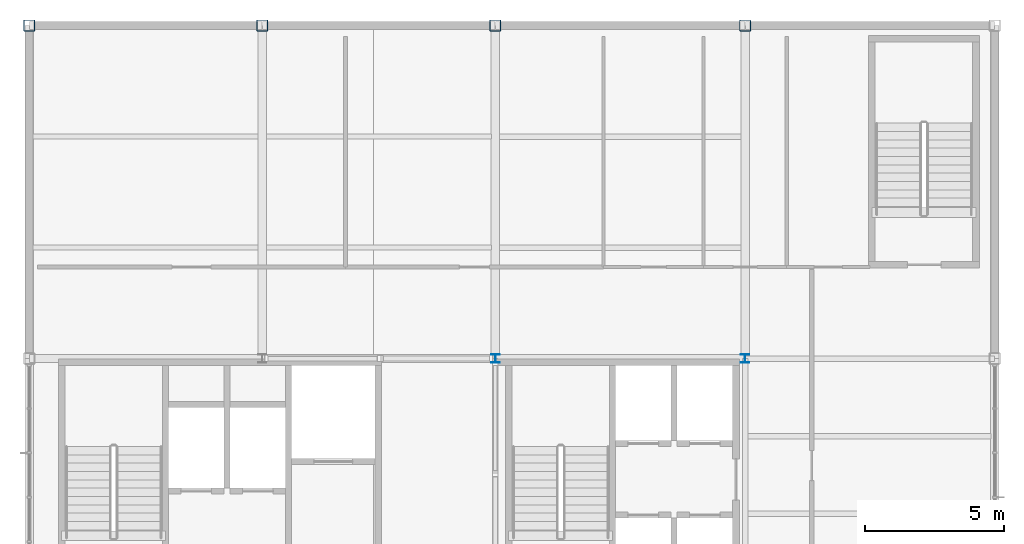
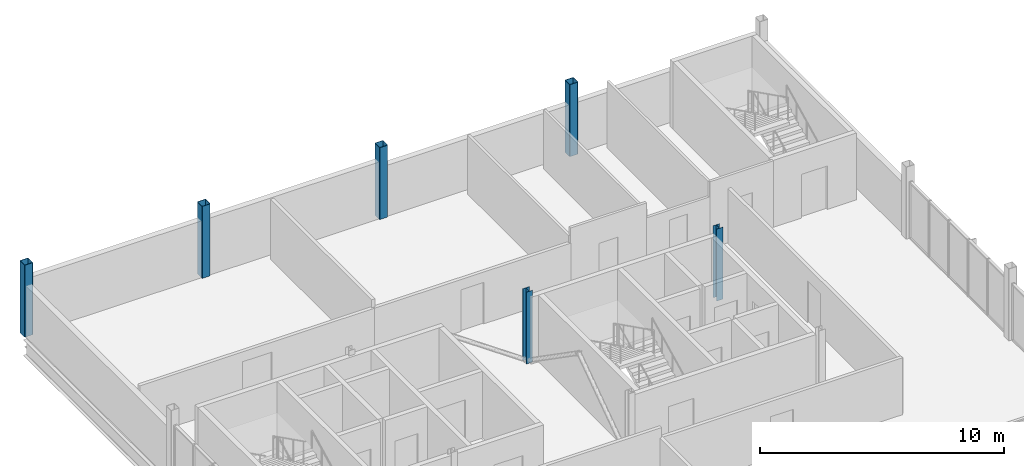
# One storey, part 2 of 15: 6 columns.
"""IFC4 building model written with IfcOpenShell, lengths in metres."""

from ifc_helpers import new_model, si_unit, direction, frame, origin, origin_2d, place, context, subcontext, project, spatial, hollow_rectangle, i_section, extrude, material, material_profile, profile_set, type_object, element, save


model = new_model("IFC4")

# Units and contexts
model_context = context("Model", 3, precision=1e-05, world=origin(), true_north=direction((0.0, 1.0)))
body_context = subcontext(model_context, "Body", "Model", "MODEL_VIEW")
ifc_project = project(units=[si_unit("LENGTHUNIT", "METRE"), si_unit("AREAUNIT", "SQUARE_METRE"), si_unit("VOLUMEUNIT", "CUBIC_METRE"), si_unit("PLANEANGLEUNIT", "RADIAN"), si_unit("MASSUNIT", "GRAM", prefix="KILO")], contexts=[model_context])

# Site, building, storey
site_placement = place(None, origin())
site = spatial("IfcSite", under=ifc_project, at=site_placement, CompositionType="ELEMENT")
building_placement = place(site_placement, origin())
building = spatial("IfcBuilding", under=site, at=building_placement, Name="Yukiwa Park Conservatory and Herbarium", CompositionType="ELEMENT")
storey_placement = place(building_placement, frame((0.0, 0.0, 54.0)))
storey = spatial("IfcBuildingStorey", under=building, at=storey_placement, Name="L14", CompositionType="ELEMENT", Elevation=54.0)

# Columns
ifc_material_1 = material(Name="Steel Q355D", Category="steel")
ifc_material_profile_1 = material_profile(ifc_material_1, hollow_rectangle(XDim=0.39990234375, YDim=0.39990234375, WallThickness=0.01611328125, InnerFilletRadius=0.01611328125, OuterFilletRadius=0.031982421875, at=origin_2d()), Name="BOX 400x400x16")
ifc_profile_set_1 = profile_set([ifc_material_profile_1], Name="Steel Q355D")
column_type_1 = type_object("IfcColumnType", Name="COL-TW-BOX400-EXT", PredefinedType="COLUMN", material=ifc_profile_set_1)
for number, where, z_axis, x_axis, name in (
    (1, (133.199951171875, 115.199951171875, 0.0), (0.0, 0.0, 1.0), (1.0, 0.0, 0.0), "L14 column V5-X1332-Y1152"),
    (2, (141.60009765625, 115.199951171875, 0.0), (0.0, 0.0, 1.0), (1.0, 0.0, 0.0), "L14 column V5-X1416-Y1152"),
    (3, (150.0, 115.199951171875, 0.0), (0.0, 0.0, 1.0), (1.0, 0.0, 0.0), "L14 column V5-X1500-Y1152"),
    (4, (159.0, 115.199951171875, 0.0), (0.0, 0.0, 1.0), (1.0, 0.0, 0.0), "L14 column V5-X1590-Y1152"),
):
    element("IfcColumn", number, at=place(storey_placement, frame(where, z_axis=z_axis, x_axis=x_axis)), inside=storey, type_object=column_type_1, Name=name, PredefinedType="COLUMN", context=body_context, shape_type="SweptSolid", body=[
        extrude(hollow_rectangle(XDim=0.39990234375, YDim=0.39990234375, WallThickness=0.01611328125, InnerFilletRadius=0.01611328125, OuterFilletRadius=0.031982421875, at=origin_2d()), origin(), (0.0, 0.0, 1.0), 3.60009765625),
    ])
ifc_material_2 = material(Name="Steel Q355D", Category="steel")
ifc_material_profile_2 = material_profile(ifc_material_2, i_section(OverallWidth=0.302001953125, OverallDepth=0.2939453125, WebThickness=0.011962890625, FlangeThickness=0.011962890625, FilletRadius=0.01806640625, at=origin_2d()), Name="HW 294x302x12x12")
ifc_profile_set_2 = profile_set([ifc_material_profile_2], Name="Steel Q355D")
column_type_2 = type_object("IfcColumnType", Name="COL-TW-HW294", PredefinedType="COLUMN", material=ifc_profile_set_2)
for number, where, z_axis, x_axis, name in (
    (5, (150.0, 103.199951171875, 0.0), (0.0, 0.0, 1.0), (1.0, 0.0, 0.0), "L14 column V5-X1500-Y1032"),
    (6, (159.0, 103.199951171875, 0.0), (0.0, 0.0, 1.0), (1.0, 0.0, 0.0), "L14 column V5-X1590-Y1032"),
):
    element("IfcColumn", number, at=place(storey_placement, frame(where, z_axis=z_axis, x_axis=x_axis)), inside=storey, type_object=column_type_2, Name=name, PredefinedType="COLUMN", context=body_context, shape_type="SweptSolid", body=[
        extrude(i_section(OverallWidth=0.302001953125, OverallDepth=0.2939453125, WebThickness=0.011962890625, FlangeThickness=0.011962890625, FilletRadius=0.01806640625, at=origin_2d()), origin(), (0.0, 0.0, 1.0), 3.60009765625),
    ])

save(model, "model.ifc")
